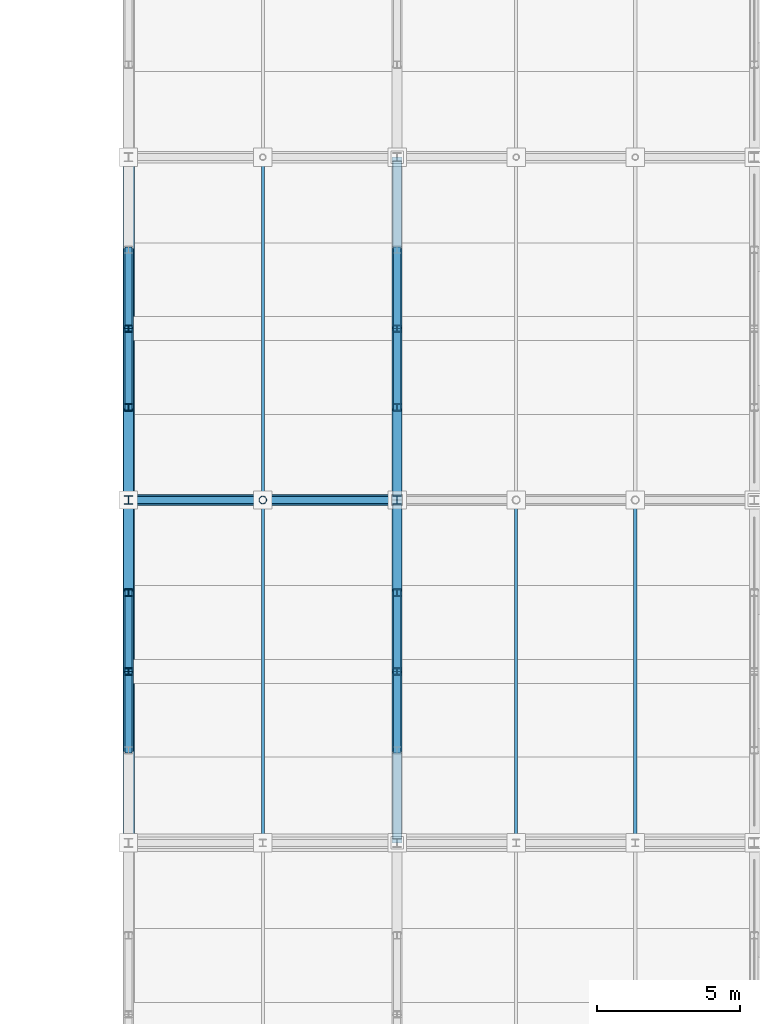
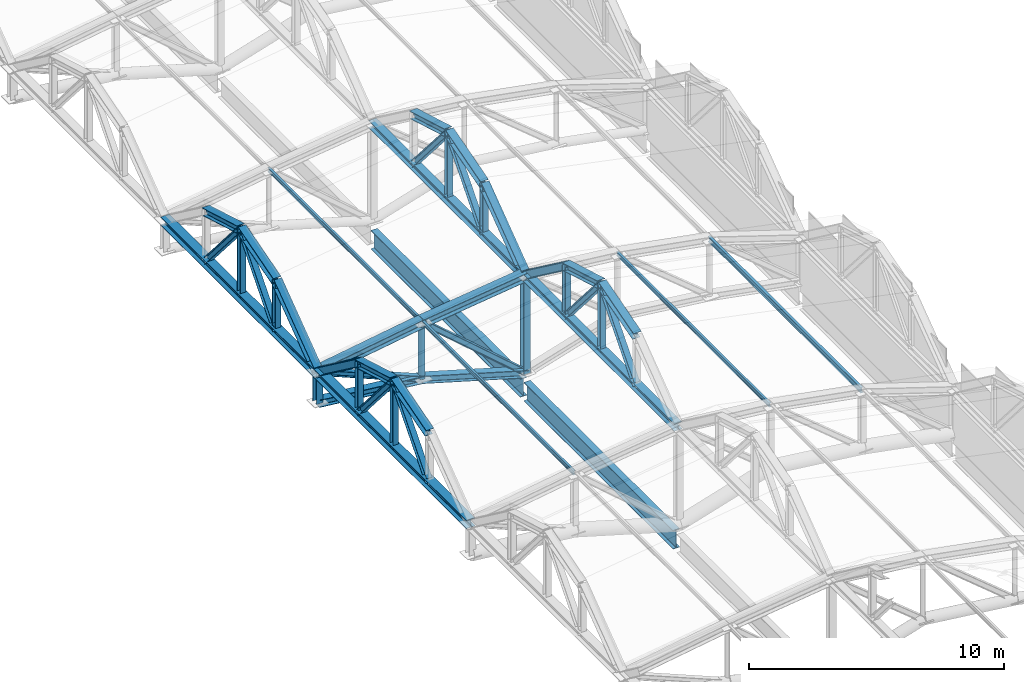
# One storey, part 64 of 117: 45 members, 2 beams.
"""IFC4 building model written with IfcOpenShell, lengths in metres."""

from ifc_helpers import new_model, si_unit, direction, frame, origin, origin_2d, place, context, subcontext, project, spatial, hollow_circle, i_section, extrude, material, material_profile, profile_set, type_object, element, save


model = new_model("IFC4")

# Units and contexts
model_context = context("Model", 3, precision=1e-05, world=origin(), true_north=direction((0.0, 1.0)))
body_context = subcontext(model_context, "Body", "Model", "MODEL_VIEW")
ifc_project = project(units=[si_unit("LENGTHUNIT", "METRE"), si_unit("AREAUNIT", "SQUARE_METRE"), si_unit("VOLUMEUNIT", "CUBIC_METRE"), si_unit("PLANEANGLEUNIT", "RADIAN"), si_unit("MASSUNIT", "GRAM", prefix="KILO")], contexts=[model_context])

# Site, building, storey
site_placement = place(None, origin())
site = spatial("IfcSite", under=ifc_project, at=site_placement, CompositionType="ELEMENT")
building_placement = place(site_placement, origin())
building = spatial("IfcBuilding", under=site, at=building_placement, Name="Kazenohara Klinker Stadium", CompositionType="ELEMENT")
storey_placement = place(building_placement, frame((0.0, 0.0, 31.199951171875)))
storey = spatial("IfcBuildingStorey", under=building, at=storey_placement, Name="RF", CompositionType="ELEMENT", Elevation=31.199951171875)

# Members
ifc_material = material(Name="Steel S355", Category="steel")
ifc_material_profile_1 = material_profile(ifc_material, i_section(OverallWidth=0.25, OverallDepth=0.25, WebThickness=0.009033203125, FlangeThickness=0.013916015625, FilletRadius=0.012939453125, at=origin_2d()), Name="H-250x250x9x14")
ifc_profile_set_1 = profile_set([ifc_material_profile_1], Name="Steel S355")
member_type_1 = type_object("IfcMemberType", Name="MEM-BRC02", PredefinedType="BRACE", material=ifc_profile_set_1)
member_1_placement = place(storey_placement, frame((175.0, 84.0, -0.02001953125), z_axis=(-0.755945561544, 0.0, 0.65463448426), x_axis=(0.0, -1.0, 0.0)))
element("IfcMember", 1, at=member_1_placement, inside=storey, type_object=member_type_1, Name="ROOF TRUSS RT-E04 web diagonal 4", PredefinedType="BRACE", context=body_context, shape_type="SweptSolid", body=[
    extrude(i_section(OverallWidth=0.25, OverallDepth=0.25, WebThickness=0.009033203125, FlangeThickness=0.013916015625, FilletRadius=0.012939453125, at=origin_2d()), origin(), (0.0, 0.0, 1.0), 6.21728515625),
])
member_2_placement = place(storey_placement, frame((170.300048828125, 84.0, 1.35009765625), z_axis=(-0.923659284192, 0.0, 0.383214726655), x_axis=(0.0, -1.0, 0.0)))
element("IfcMember", 2, at=member_2_placement, inside=storey, type_object=member_type_1, Name="ROOF TRUSS RT-E04 web diagonal 5", PredefinedType="BRACE", context=body_context, shape_type="SweptSolid", body=[
    extrude(i_section(OverallWidth=0.25, OverallDepth=0.25, WebThickness=0.009033203125, FlangeThickness=0.013916015625, FilletRadius=0.012939453125, at=origin_2d()), origin(), (0.0, 0.0, 1.0), 5.08837890625),
])
ifc_material_profile_2 = material_profile(ifc_material, i_section(OverallWidth=0.39990234375, OverallDepth=0.39990234375, WebThickness=0.012939453125, FlangeThickness=0.02099609375, FilletRadius=0.02197265625, at=origin_2d()), Name="H-400x400x13x21")
ifc_profile_set_2 = profile_set([ifc_material_profile_2], Name="Steel S355")
member_type_2 = type_object("IfcMemberType", Name="MEM-CHD01", PredefinedType="CHORD", material=ifc_profile_set_2)
member_3_placement = place(storey_placement, frame((175.0, 84.0, 4.650146484375), z_axis=(-0.99194702514, 0.0, -0.126653461524), x_axis=(0.0, -1.0, 0.0)))
element("IfcMember", 3, at=member_3_placement, inside=storey, type_object=member_type_2, Name="ROOF TRUSS RT-E04 top arched chord 4", PredefinedType="CHORD", context=body_context, shape_type="SweptSolid", body=[
    extrude(i_section(OverallWidth=0.39990234375, OverallDepth=0.39990234375, WebThickness=0.012939453125, FlangeThickness=0.02099609375, FilletRadius=0.02197265625, at=origin_2d()), origin(), (0.0, 0.0, 1.0), 4.738037109375),
])
member_4_placement = place(storey_placement, frame((170.300048828125, 84.0, 4.050048828125), z_axis=(-0.987505848374, 0.0, -0.157582357602), x_axis=(0.0, -1.0, 0.0)))
element("IfcMember", 4, at=member_4_placement, inside=storey, type_object=member_type_2, Name="ROOF TRUSS RT-E04 top arched chord 5", PredefinedType="CHORD", context=body_context, shape_type="SweptSolid", body=[
    extrude(i_section(OverallWidth=0.39990234375, OverallDepth=0.39990234375, WebThickness=0.012939453125, FlangeThickness=0.02099609375, FilletRadius=0.02197265625, at=origin_2d()), origin(), (0.0, 0.0, 1.0), 4.759521484375),
])
for number, where, z_axis, x_axis, name in (
    (5, (165.60009765625, 96.0, 3.300048828125), (0.0, -1.0, 0.0), (1.0, 0.0, 0.0), "Inner tension ring chord TC01 segment 20"),
    (6, (165.60009765625, 84.0, 3.300048828125), (0.0, -1.0, 0.0), (1.0, 0.0, 0.0), "Inner tension ring chord TC01 segment 21"),
):
    element("IfcMember", number, at=place(storey_placement, frame(where, z_axis=z_axis, x_axis=x_axis)), inside=storey, type_object=member_type_2, Name=name, PredefinedType="CHORD", context=body_context, shape_type="SweptSolid", body=[
        extrude(i_section(OverallWidth=0.39990234375, OverallDepth=0.39990234375, WebThickness=0.012939453125, FlangeThickness=0.02099609375, FilletRadius=0.02197265625, at=origin_2d()), origin(), (0.0, 0.0, 1.0), 12.0),
    ])
ifc_material_profile_3 = material_profile(ifc_material, i_section(OverallWidth=0.35009765625, OverallDepth=0.35009765625, WebThickness=0.011962890625, FlangeThickness=0.01904296875, FilletRadius=0.012939453125, at=origin_2d()), Name="H-350x350x12x19")
ifc_profile_set_3 = profile_set([ifc_material_profile_3], Name="Steel S355")
member_type_3 = type_object("IfcMemberType", Name="MEM-CHD02", PredefinedType="CHORD", material=ifc_profile_set_3)
member_5_placement = place(storey_placement, frame((175.0, 84.0, -0.02001953125), z_axis=(-0.960038530088, 0.0, 0.279867863012), x_axis=(0.0, -1.0, 0.0)))
element("IfcMember", 7, at=member_5_placement, inside=storey, type_object=member_type_3, Name="ROOF TRUSS RT-E04 bottom arched chord 4", PredefinedType="CHORD", context=body_context, shape_type="SweptSolid", body=[
    extrude(i_section(OverallWidth=0.35009765625, OverallDepth=0.35009765625, WebThickness=0.011962890625, FlangeThickness=0.01904296875, FilletRadius=0.012939453125, at=origin_2d()), origin(), (0.0, 0.0, 1.0), 4.8955078125),
])
member_6_placement = place(storey_placement, frame((170.300048828125, 84.0, 1.35009765625), z_axis=(-0.99438879757, 0.0, 0.105787141313), x_axis=(0.0, -1.0, 0.0)))
element("IfcMember", 8, at=member_6_placement, inside=storey, type_object=member_type_3, Name="ROOF TRUSS RT-E04 bottom arched chord 5", PredefinedType="CHORD", context=body_context, shape_type="SweptSolid", body=[
    extrude(i_section(OverallWidth=0.35009765625, OverallDepth=0.35009765625, WebThickness=0.011962890625, FlangeThickness=0.01904296875, FilletRadius=0.012939453125, at=origin_2d()), origin(), (0.0, 0.0, 1.0), 4.7265625),
])
member_7_placement = place(storey_placement, frame((175.0, 72.0, 4.650146484375), z_axis=(0.0, 1.0, 0.0), x_axis=(-1.0, 0.0, 0.0)))
element("IfcMember", 9, at=member_7_placement, inside=storey, type_object=member_type_3, Name="Barrel arch tie chord TC02 E-03-N3", PredefinedType="CHORD", context=body_context, shape_type="SweptSolid", body=[
    extrude(i_section(OverallWidth=0.35009765625, OverallDepth=0.35009765625, WebThickness=0.011962890625, FlangeThickness=0.01904296875, FilletRadius=0.012939453125, at=origin_2d()), origin(), (0.0, 0.0, 1.0), 12.0),
])
for number, where, z_axis, x_axis, name in (
    (10, (175.0, 75.239990234375, 7.050048828125), (0.0, 0.960462085918, 0.27841081429), (-1.0, 0.0, 0.0), "Barrel arch top rib TC02 E-03-N3-S2"),
    (11, (175.0, 78.0, 7.85009765625), (0.0, 0.960462085918, -0.27841081429), (-1.0, 0.0, 0.0), "Barrel arch top rib TC02 E-03-N3-S3"),
):
    element("IfcMember", number, at=place(storey_placement, frame(where, z_axis=z_axis, x_axis=x_axis)), inside=storey, type_object=member_type_3, Name=name, PredefinedType="CHORD", context=body_context, shape_type="SweptSolid", body=[
        extrude(i_section(OverallWidth=0.35009765625, OverallDepth=0.35009765625, WebThickness=0.011962890625, FlangeThickness=0.01904296875, FilletRadius=0.012939453125, at=origin_2d()), origin(), (0.0, 0.0, 1.0), 2.87353515625),
    ])
member_8_placement = place(storey_placement, frame((175.0, 80.760009765625, 7.050048828125), z_axis=(0.0, 0.803567919639, -0.595213069856), x_axis=(-1.0, 0.0, 0.0)))
element("IfcMember", 12, at=member_8_placement, inside=storey, type_object=member_type_3, Name="Barrel arch top rib TC02 E-03-N3-S4", PredefinedType="CHORD", context=body_context, shape_type="SweptSolid", body=[
    extrude(i_section(OverallWidth=0.35009765625, OverallDepth=0.35009765625, WebThickness=0.011962890625, FlangeThickness=0.01904296875, FilletRadius=0.012939453125, at=origin_2d()), origin(), (0.0, 0.0, 1.0), 4.031982421875),
])
for number, where, z_axis, x_axis, name in (
    (13, (165.60009765625, 75.239990234375, 5.699951171875), (0.0, 0.960462085918, 0.27841081429), (-1.0, 0.0, 0.0), "Barrel arch top rib TC02 E-03-N5-S2"),
    (14, (165.60009765625, 78.0, 6.5), (0.0, 0.960462085918, -0.27841081429), (-1.0, 0.0, 0.0), "Barrel arch top rib TC02 E-03-N5-S3"),
):
    element("IfcMember", number, at=place(storey_placement, frame(where, z_axis=z_axis, x_axis=x_axis)), inside=storey, type_object=member_type_3, Name=name, PredefinedType="CHORD", context=body_context, shape_type="SweptSolid", body=[
        extrude(i_section(OverallWidth=0.35009765625, OverallDepth=0.35009765625, WebThickness=0.011962890625, FlangeThickness=0.01904296875, FilletRadius=0.012939453125, at=origin_2d()), origin(), (0.0, 0.0, 1.0), 2.87353515625),
    ])
member_9_placement = place(storey_placement, frame((165.60009765625, 80.760009765625, 5.699951171875), z_axis=(0.0, 0.803567919639, -0.595213069856), x_axis=(-1.0, 0.0, 0.0)))
element("IfcMember", 15, at=member_9_placement, inside=storey, type_object=member_type_3, Name="Barrel arch top rib TC02 E-03-N5-S4", PredefinedType="CHORD", context=body_context, shape_type="SweptSolid", body=[
    extrude(i_section(OverallWidth=0.35009765625, OverallDepth=0.35009765625, WebThickness=0.011962890625, FlangeThickness=0.01904296875, FilletRadius=0.012939453125, at=origin_2d()), origin(), (0.0, 0.0, 1.0), 4.031982421875),
])
member_10_placement = place(storey_placement, frame((175.0, 84.0, 4.650146484375), z_axis=(0.0, 1.0, 0.0), x_axis=(-1.0, 0.0, 0.0)))
element("IfcMember", 16, at=member_10_placement, inside=storey, type_object=member_type_3, Name="Barrel arch tie chord TC02 E-04-N3", PredefinedType="CHORD", context=body_context, shape_type="SweptSolid", body=[
    extrude(i_section(OverallWidth=0.35009765625, OverallDepth=0.35009765625, WebThickness=0.011962890625, FlangeThickness=0.01904296875, FilletRadius=0.012939453125, at=origin_2d()), origin(), (0.0, 0.0, 1.0), 12.0),
])
member_11_placement = place(storey_placement, frame((175.0, 84.0, 4.650146484375), z_axis=(0.0, 0.803567919639, 0.595213069856), x_axis=(-1.0, 0.0, 0.0)))
element("IfcMember", 17, at=member_11_placement, inside=storey, type_object=member_type_3, Name="Barrel arch top rib TC02 E-04-N3-S1", PredefinedType="CHORD", context=body_context, shape_type="SweptSolid", body=[
    extrude(i_section(OverallWidth=0.35009765625, OverallDepth=0.35009765625, WebThickness=0.011962890625, FlangeThickness=0.01904296875, FilletRadius=0.012939453125, at=origin_2d()), origin(), (0.0, 0.0, 1.0), 4.031982421875),
])
for number, where, z_axis, x_axis, name in (
    (18, (175.0, 87.239990234375, 7.050048828125), (0.0, 0.960462085918, 0.27841081429), (-1.0, 0.0, 0.0), "Barrel arch top rib TC02 E-04-N3-S2"),
    (19, (175.0, 90.0, 7.85009765625), (0.0, 0.960462085918, -0.27841081429), (-1.0, 0.0, 0.0), "Barrel arch top rib TC02 E-04-N3-S3"),
):
    element("IfcMember", number, at=place(storey_placement, frame(where, z_axis=z_axis, x_axis=x_axis)), inside=storey, type_object=member_type_3, Name=name, PredefinedType="CHORD", context=body_context, shape_type="SweptSolid", body=[
        extrude(i_section(OverallWidth=0.35009765625, OverallDepth=0.35009765625, WebThickness=0.011962890625, FlangeThickness=0.01904296875, FilletRadius=0.012939453125, at=origin_2d()), origin(), (0.0, 0.0, 1.0), 2.87353515625),
    ])
member_12_placement = place(storey_placement, frame((165.60009765625, 84.0, 3.300048828125), z_axis=(0.0, 0.803567919639, 0.595213069856), x_axis=(-1.0, 0.0, 0.0)))
element("IfcMember", 20, at=member_12_placement, inside=storey, type_object=member_type_3, Name="Barrel arch top rib TC02 E-04-N5-S1", PredefinedType="CHORD", context=body_context, shape_type="SweptSolid", body=[
    extrude(i_section(OverallWidth=0.35009765625, OverallDepth=0.35009765625, WebThickness=0.011962890625, FlangeThickness=0.01904296875, FilletRadius=0.012939453125, at=origin_2d()), origin(), (0.0, 0.0, 1.0), 4.031982421875),
])
for number, where, z_axis, x_axis, name in (
    (21, (165.60009765625, 87.239990234375, 5.699951171875), (0.0, 0.960462085918, 0.27841081429), (-1.0, 0.0, 0.0), "Barrel arch top rib TC02 E-04-N5-S2"),
    (22, (165.60009765625, 90.0, 6.5), (0.0, 0.960462085918, -0.27841081429), (-1.0, 0.0, 0.0), "Barrel arch top rib TC02 E-04-N5-S3"),
):
    element("IfcMember", number, at=place(storey_placement, frame(where, z_axis=z_axis, x_axis=x_axis)), inside=storey, type_object=member_type_3, Name=name, PredefinedType="CHORD", context=body_context, shape_type="SweptSolid", body=[
        extrude(i_section(OverallWidth=0.35009765625, OverallDepth=0.35009765625, WebThickness=0.011962890625, FlangeThickness=0.01904296875, FilletRadius=0.012939453125, at=origin_2d()), origin(), (0.0, 0.0, 1.0), 2.87353515625),
    ])
ifc_material_profile_4 = material_profile(ifc_material, i_section(OverallWidth=0.125, OverallDepth=0.25, WebThickness=0.006103515625, FlangeThickness=0.009033203125, FilletRadius=0.008056640625, at=origin_2d()), Name="H-250x125x6x9")
ifc_profile_set_4 = profile_set([ifc_material_profile_4], Name="Steel S355")
member_type_4 = type_object("IfcMemberType", Name="MEM-PUR01", PredefinedType="PURLIN", material=ifc_profile_set_4)
member_13_placement = place(storey_placement, frame((183.333251953125, 72.0, 3.469970703125), z_axis=(0.0, 1.0, 0.0), x_axis=(-1.0, 0.0, 0.0)))
element("IfcMember", 23, at=member_13_placement, inside=storey, type_object=member_type_4, Name="Canopy valley tie purlin PR01 E-03-N1", PredefinedType="PURLIN", context=body_context, shape_type="SweptSolid", body=[
    extrude(i_section(OverallWidth=0.125, OverallDepth=0.25, WebThickness=0.006103515625, FlangeThickness=0.009033203125, FilletRadius=0.008056640625, at=origin_2d()), origin(), (0.0, 0.0, 1.0), 12.0),
])
ifc_material_profile_5 = material_profile(ifc_material, i_section(OverallWidth=0.10009765625, OverallDepth=0.199951171875, WebThickness=0.005615234375, FlangeThickness=0.008056640625, FilletRadius=0.008056640625, at=origin_2d()), Name="H-200x100x5.5x8")
ifc_profile_set_5 = profile_set([ifc_material_profile_5], Name="Steel S355")
member_type_5 = type_object("IfcMemberType", Name="MEM-PUR02", PredefinedType="PURLIN", material=ifc_profile_set_5)
for number, where, z_axis, x_axis, name in (
    (24, (179.166748046875, 72.0, 4.219970703125), (0.0, 1.0, 0.0), (-1.0, 0.0, 0.0), "Canopy valley tie purlin PR02 E-03-N2"),
    (25, (170.300048828125, 72.0, 4.070068359375), (0.0, 1.0, 0.0), (-1.0, 0.0, 0.0), "Canopy valley tie purlin PR02 E-03-N4"),
    (26, (170.300048828125, 84.0, 4.070068359375), (0.0, 1.0, 0.0), (-1.0, 0.0, 0.0), "Canopy valley tie purlin PR02 E-04-N4"),
):
    element("IfcMember", number, at=place(storey_placement, frame(where, z_axis=z_axis, x_axis=x_axis)), inside=storey, type_object=member_type_5, Name=name, PredefinedType="PURLIN", context=body_context, shape_type="SweptSolid", body=[
        extrude(i_section(OverallWidth=0.10009765625, OverallDepth=0.199951171875, WebThickness=0.005615234375, FlangeThickness=0.008056640625, FilletRadius=0.008056640625, at=origin_2d()), origin(), (0.0, 0.0, 1.0), 12.0),
    ])
ifc_material_profile_6 = material_profile(ifc_material, i_section(OverallWidth=0.300048828125, OverallDepth=0.300048828125, WebThickness=0.010009765625, FlangeThickness=0.014892578125, FilletRadius=0.012939453125, at=origin_2d()), Name="H-300x300x10x15")
ifc_profile_set_6 = profile_set([ifc_material_profile_6], Name="Steel S355")
member_type_6 = type_object("IfcMemberType", Name="MEM-STR01", PredefinedType="STRUT", material=ifc_profile_set_6)
member_14_placement = place(storey_placement, frame((175.0, 84.0, -0.02001953125), z_axis=(0.0, 0.0, 1.0), x_axis=(1.0, 0.0, 0.0)))
element("IfcMember", 27, at=member_14_placement, inside=storey, type_object=member_type_6, Name="ROOF TRUSS RT-E04 web post 4", PredefinedType="STRUT", context=body_context, shape_type="SweptSolid", body=[
    extrude(i_section(OverallWidth=0.300048828125, OverallDepth=0.300048828125, WebThickness=0.010009765625, FlangeThickness=0.014892578125, FilletRadius=0.012939453125, at=origin_2d()), origin(), (0.0, 0.0, 1.0), 4.670166015625),
])
member_15_placement = place(storey_placement, frame((165.60009765625, 84.0, 1.85009765625), z_axis=(0.0, 0.0, 1.0), x_axis=(1.0, 0.0, 0.0)))
element("IfcMember", 28, at=member_15_placement, inside=storey, type_object=member_type_6, Name="ROOF TRUSS RT-E04 web post 6", PredefinedType="STRUT", context=body_context, shape_type="SweptSolid", body=[
    extrude(i_section(OverallWidth=0.300048828125, OverallDepth=0.300048828125, WebThickness=0.010009765625, FlangeThickness=0.014892578125, FilletRadius=0.012939453125, at=origin_2d()), origin(), (0.0, 0.0, 1.0), 1.449951171875),
])
ifc_material_profile_7 = material_profile(ifc_material, i_section(OverallWidth=0.25, OverallDepth=0.25, WebThickness=0.009033203125, FlangeThickness=0.013916015625, FilletRadius=0.012939453125, at=origin_2d()), Name="H-250x250x9x14")
ifc_profile_set_7 = profile_set([ifc_material_profile_7], Name="Steel S355")
member_type_7 = type_object("IfcMemberType", Name="MEM-STR02", PredefinedType="STRUT", material=ifc_profile_set_7)
member_16_placement = place(storey_placement, frame((175.0, 78.0, 4.650146484375), z_axis=(0.0, 0.0, 1.0), x_axis=(1.0, 0.0, 0.0)))
element("IfcMember", 29, at=member_16_placement, inside=storey, type_object=member_type_7, Name="Barrel arch web post TS02 E-03-N3-P2", PredefinedType="STRUT", context=body_context, shape_type="SweptSolid", body=[
    extrude(i_section(OverallWidth=0.25, OverallDepth=0.25, WebThickness=0.009033203125, FlangeThickness=0.013916015625, FilletRadius=0.012939453125, at=origin_2d()), origin(), (0.0, 0.0, 1.0), 3.199951171875),
])
member_17_placement = place(storey_placement, frame((175.0, 80.760009765625, 4.650146484375), z_axis=(0.0, 0.0, 1.0), x_axis=(1.0, 0.0, 0.0)))
element("IfcMember", 30, at=member_17_placement, inside=storey, type_object=member_type_7, Name="Barrel arch web post TS02 E-03-N3-P3", PredefinedType="STRUT", context=body_context, shape_type="SweptSolid", body=[
    extrude(i_section(OverallWidth=0.25, OverallDepth=0.25, WebThickness=0.009033203125, FlangeThickness=0.013916015625, FilletRadius=0.012939453125, at=origin_2d()), origin(), (0.0, 0.0, 1.0), 2.39990234375),
])
for number, where, z_axis, x_axis, name in (
    (31, (175.0, 75.239990234375, 4.650146484375), (0.0, 0.653133887971, 0.757242447558), (-1.0, 0.0, 0.0), "Barrel arch web diagonal TS02 E-03-N3-D1"),
    (32, (175.0, 80.760009765625, 4.650146484375), (0.0, -0.653133887971, 0.757242447558), (1.0, 0.0, 0.0), "Barrel arch web diagonal TS02 E-03-N3-D2"),
):
    element("IfcMember", number, at=place(storey_placement, frame(where, z_axis=z_axis, x_axis=x_axis)), inside=storey, type_object=member_type_7, Name=name, PredefinedType="STRUT", context=body_context, shape_type="SweptSolid", body=[
        extrude(i_section(OverallWidth=0.25, OverallDepth=0.25, WebThickness=0.009033203125, FlangeThickness=0.013916015625, FilletRadius=0.012939453125, at=origin_2d()), origin(), (0.0, 0.0, 1.0), 4.225830078125),
    ])
member_18_placement = place(storey_placement, frame((165.60009765625, 78.0, 3.300048828125), z_axis=(0.0, 0.0, 1.0), x_axis=(1.0, 0.0, 0.0)))
element("IfcMember", 33, at=member_18_placement, inside=storey, type_object=member_type_7, Name="Barrel arch web post TS02 E-03-N5-P2", PredefinedType="STRUT", context=body_context, shape_type="SweptSolid", body=[
    extrude(i_section(OverallWidth=0.25, OverallDepth=0.25, WebThickness=0.009033203125, FlangeThickness=0.013916015625, FilletRadius=0.012939453125, at=origin_2d()), origin(), (0.0, 0.0, 1.0), 3.199951171875),
])
member_19_placement = place(storey_placement, frame((165.60009765625, 80.760009765625, 3.300048828125), z_axis=(0.0, 0.0, 1.0), x_axis=(1.0, 0.0, 0.0)))
element("IfcMember", 34, at=member_19_placement, inside=storey, type_object=member_type_7, Name="Barrel arch web post TS02 E-03-N5-P3", PredefinedType="STRUT", context=body_context, shape_type="SweptSolid", body=[
    extrude(i_section(OverallWidth=0.25, OverallDepth=0.25, WebThickness=0.009033203125, FlangeThickness=0.013916015625, FilletRadius=0.012939453125, at=origin_2d()), origin(), (0.0, 0.0, 1.0), 2.39990234375),
])
for number, where, z_axis, x_axis, name in (
    (35, (165.60009765625, 75.239990234375, 3.300048828125), (0.0, 0.653133887971, 0.757242447558), (-1.0, 0.0, 0.0), "Barrel arch web diagonal TS02 E-03-N5-D1"),
    (36, (165.60009765625, 80.760009765625, 3.300048828125), (0.0, -0.653133887971, 0.757242447558), (1.0, 0.0, 0.0), "Barrel arch web diagonal TS02 E-03-N5-D2"),
):
    element("IfcMember", number, at=place(storey_placement, frame(where, z_axis=z_axis, x_axis=x_axis)), inside=storey, type_object=member_type_7, Name=name, PredefinedType="STRUT", context=body_context, shape_type="SweptSolid", body=[
        extrude(i_section(OverallWidth=0.25, OverallDepth=0.25, WebThickness=0.009033203125, FlangeThickness=0.013916015625, FilletRadius=0.012939453125, at=origin_2d()), origin(), (0.0, 0.0, 1.0), 4.225830078125),
    ])
member_20_placement = place(storey_placement, frame((175.0, 87.239990234375, 4.650146484375), z_axis=(0.0, 0.0, 1.0), x_axis=(1.0, 0.0, 0.0)))
element("IfcMember", 37, at=member_20_placement, inside=storey, type_object=member_type_7, Name="Barrel arch web post TS02 E-04-N3-P1", PredefinedType="STRUT", context=body_context, shape_type="SweptSolid", body=[
    extrude(i_section(OverallWidth=0.25, OverallDepth=0.25, WebThickness=0.009033203125, FlangeThickness=0.013916015625, FilletRadius=0.012939453125, at=origin_2d()), origin(), (0.0, 0.0, 1.0), 2.39990234375),
])
member_21_placement = place(storey_placement, frame((175.0, 90.0, 4.650146484375), z_axis=(0.0, 0.0, 1.0), x_axis=(1.0, 0.0, 0.0)))
element("IfcMember", 38, at=member_21_placement, inside=storey, type_object=member_type_7, Name="Barrel arch web post TS02 E-04-N3-P2", PredefinedType="STRUT", context=body_context, shape_type="SweptSolid", body=[
    extrude(i_section(OverallWidth=0.25, OverallDepth=0.25, WebThickness=0.009033203125, FlangeThickness=0.013916015625, FilletRadius=0.012939453125, at=origin_2d()), origin(), (0.0, 0.0, 1.0), 3.199951171875),
])
for number, where, z_axis, x_axis, name in (
    (39, (175.0, 87.239990234375, 4.650146484375), (0.0, 0.653133887971, 0.757242447558), (-1.0, 0.0, 0.0), "Barrel arch web diagonal TS02 E-04-N3-D1"),
    (40, (175.0, 92.760009765625, 4.650146484375), (0.0, -0.653133887971, 0.757242447558), (1.0, 0.0, 0.0), "Barrel arch web diagonal TS02 E-04-N3-D2"),
):
    element("IfcMember", number, at=place(storey_placement, frame(where, z_axis=z_axis, x_axis=x_axis)), inside=storey, type_object=member_type_7, Name=name, PredefinedType="STRUT", context=body_context, shape_type="SweptSolid", body=[
        extrude(i_section(OverallWidth=0.25, OverallDepth=0.25, WebThickness=0.009033203125, FlangeThickness=0.013916015625, FilletRadius=0.012939453125, at=origin_2d()), origin(), (0.0, 0.0, 1.0), 4.225830078125),
    ])
member_22_placement = place(storey_placement, frame((165.60009765625, 87.239990234375, 3.300048828125), z_axis=(0.0, 0.0, 1.0), x_axis=(1.0, 0.0, 0.0)))
element("IfcMember", 41, at=member_22_placement, inside=storey, type_object=member_type_7, Name="Barrel arch web post TS02 E-04-N5-P1", PredefinedType="STRUT", context=body_context, shape_type="SweptSolid", body=[
    extrude(i_section(OverallWidth=0.25, OverallDepth=0.25, WebThickness=0.009033203125, FlangeThickness=0.013916015625, FilletRadius=0.012939453125, at=origin_2d()), origin(), (0.0, 0.0, 1.0), 2.39990234375),
])
member_23_placement = place(storey_placement, frame((165.60009765625, 90.0, 3.300048828125), z_axis=(0.0, 0.0, 1.0), x_axis=(1.0, 0.0, 0.0)))
element("IfcMember", 42, at=member_23_placement, inside=storey, type_object=member_type_7, Name="Barrel arch web post TS02 E-04-N5-P2", PredefinedType="STRUT", context=body_context, shape_type="SweptSolid", body=[
    extrude(i_section(OverallWidth=0.25, OverallDepth=0.25, WebThickness=0.009033203125, FlangeThickness=0.013916015625, FilletRadius=0.012939453125, at=origin_2d()), origin(), (0.0, 0.0, 1.0), 3.199951171875),
])
for number, where, z_axis, x_axis, name in (
    (43, (165.60009765625, 87.239990234375, 3.300048828125), (0.0, 0.653133887971, 0.757242447558), (-1.0, 0.0, 0.0), "Barrel arch web diagonal TS02 E-04-N5-D1"),
    (44, (165.60009765625, 92.760009765625, 3.300048828125), (0.0, -0.653133887971, 0.757242447558), (1.0, 0.0, 0.0), "Barrel arch web diagonal TS02 E-04-N5-D2"),
):
    element("IfcMember", number, at=place(storey_placement, frame(where, z_axis=z_axis, x_axis=x_axis)), inside=storey, type_object=member_type_7, Name=name, PredefinedType="STRUT", context=body_context, shape_type="SweptSolid", body=[
        extrude(i_section(OverallWidth=0.25, OverallDepth=0.25, WebThickness=0.009033203125, FlangeThickness=0.013916015625, FilletRadius=0.012939453125, at=origin_2d()), origin(), (0.0, 0.0, 1.0), 4.225830078125),
    ])
ifc_material_profile_8 = material_profile(ifc_material, hollow_circle(Radius=0.1337890625, WallThickness=0.009033203125, at=origin_2d()), Name="CHS-267.4x9")
ifc_profile_set_8 = profile_set([ifc_material_profile_8], Name="Steel S355")
member_type_8 = type_object("IfcMemberType", Name="MEM-STR03", PredefinedType="STRUT", material=ifc_profile_set_8)
member_24_placement = place(storey_placement, frame((170.300048828125, 84.0, 1.35009765625), z_axis=(0.0, 0.0, 1.0), x_axis=(1.0, 0.0, 0.0)))
element("IfcMember", 45, at=member_24_placement, inside=storey, type_object=member_type_8, Name="ROOF TRUSS RT-E04 web post 5", PredefinedType="STRUT", context=body_context, shape_type="SweptSolid", body=[
    extrude(hollow_circle(Radius=0.1337890625, WallThickness=0.009033203125, at=origin_2d()), origin(), (0.0, 0.0, 1.0), 2.699951171875),
])

# Beams
ifc_material_profile_9 = material_profile(ifc_material, i_section(OverallWidth=0.300048828125, OverallDepth=0.89990234375, WebThickness=0.01611328125, FlangeThickness=0.028076171875, FilletRadius=0.02197265625, at=origin_2d()), Name="H-900x300x16x28")
ifc_profile_set_9 = profile_set([ifc_material_profile_9], Name="Steel S355")
beam_type = type_object("IfcBeamType", Name="RING-RB01", PredefinedType="USERDEFINED", material=ifc_profile_set_9)
for number, where, z_axis, x_axis, name in (
    (46, (175.0, 72.139892578125, -0.820068359375), (0.0, 1.0, 0.0), (-1.0, 0.0, 0.0), "Roof ring beam RB01 E-IN G-H"),
    (47, (175.0, 84.139892578125, -0.820068359375), (0.0, 1.0, 0.0), (-1.0, 0.0, 0.0), "Roof ring beam RB01 E-IN H-J"),
):
    element("IfcBeam", number, at=place(storey_placement, frame(where, z_axis=z_axis, x_axis=x_axis)), inside=storey, type_object=beam_type, Name=name, ObjectType="RING BEAM", PredefinedType="USERDEFINED", context=body_context, shape_type="SweptSolid", body=[
        extrude(i_section(OverallWidth=0.300048828125, OverallDepth=0.89990234375, WebThickness=0.01611328125, FlangeThickness=0.028076171875, FilletRadius=0.02197265625, at=origin_2d()), origin(), (0.0, 0.0, 1.0), 11.72021484375),
    ])

save(model, "model.ifc")
